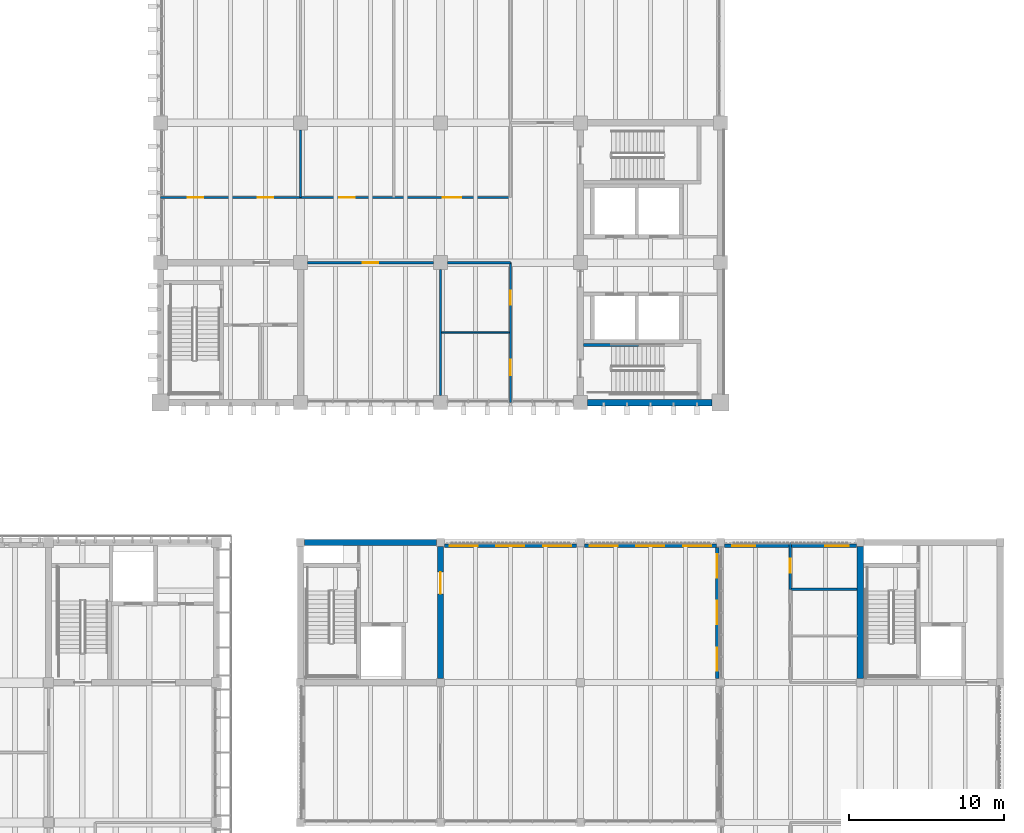
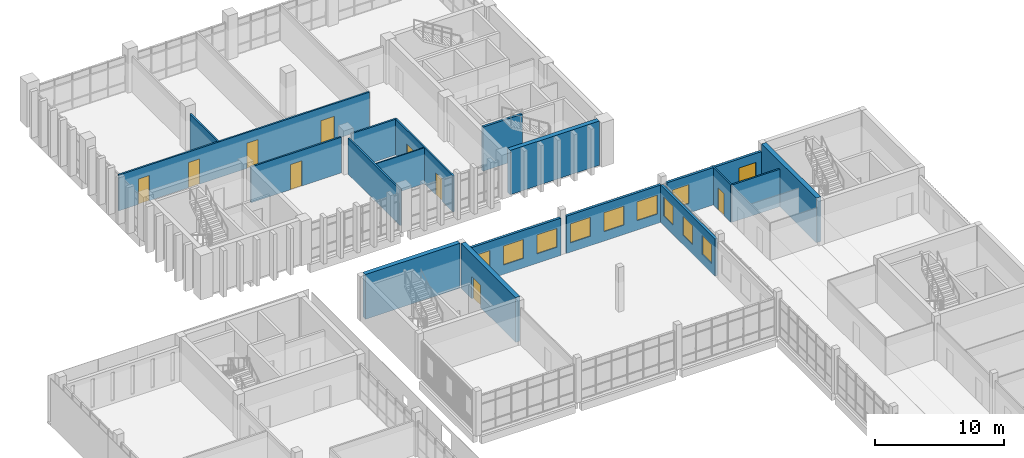
# One storey, part 58 of 92: 19 walls, 11 windows, 9 doors, 20 openings.
"""IFC4 building model written with IfcOpenShell, lengths in metres."""

from ifc_helpers import new_model, si_unit, direction, frame, frame_2d, origin, place, context, subcontext, project, spatial, rectangle, extrude, material, layer, layer_set, type_object, element, fill, save


model = new_model("IFC4")

# Units and contexts
model_context = context("Model", 3, precision=1e-05, world=origin(), true_north=direction((0.0, 1.0)))
body_context = subcontext(model_context, "Body", "Model", "MODEL_VIEW")
ifc_project = project(units=[si_unit("LENGTHUNIT", "METRE"), si_unit("AREAUNIT", "SQUARE_METRE"), si_unit("VOLUMEUNIT", "CUBIC_METRE"), si_unit("PLANEANGLEUNIT", "RADIAN"), si_unit("MASSUNIT", "GRAM", prefix="KILO")], contexts=[model_context])

# Site, building, storey
site_placement = place(None, origin())
site = spatial("IfcSite", under=ifc_project, at=site_placement, CompositionType="ELEMENT")
building_placement = place(site_placement, origin())
building = spatial("IfcBuilding", under=site, at=building_placement, Name="Merrow Basin Faculty of Sciences", CompositionType="ELEMENT")
storey_placement = place(building_placement, frame((0.0, 0.0, 4.5)))
storey = spatial("IfcBuildingStorey", under=building, at=storey_placement, Name="L01", CompositionType="ELEMENT", Elevation=4.5)

# Wall, openings, doors
ifc_material_1 = material(Name="Fire-rated gypsum board")
ifc_layer_1 = layer(ifc_material_1, 0.14990234375)
ifc_layer_set_1 = layer_set([ifc_layer_1], Name="Corridor partition 150 fire-rated board on steel studs")
wall_type_1 = type_object("IfcWallType", Name="Corridor partition 150 fire-rated board on steel studs", PredefinedType="PARTITIONING", material=ifc_layer_set_1)
wall_1_placement = place(storey_placement, frame((40.5, 142.0, 0.0), z_axis=(0.0, 0.0, 1.0), x_axis=(0.0, 1.0, 0.0)))
wall_1 = element("IfcWall", 1, at=wall_1_placement, inside=storey, type_object=wall_type_1, Name="IW151 L01 004", PredefinedType="PARTITIONING", context=body_context, shape_type="SweptSolid", body=[
    extrude(rectangle(XDim=9.0, YDim=0.14990234375, at=frame_2d((4.5, 0.0))), origin(), (0.0, 0.0, 1.0), 3.39990234375),
])
opening_1_placement = place(wall_1_placement, frame((1.75, 0.0, 0.0)))
opening_1 = element("IfcOpeningElement", 2, at=opening_1_placement, cuts=wall_1, Name="Opening D01T008", PredefinedType="OPENING", context=body_context, shape_type="SweptSolid", body=[
    extrude(rectangle(XDim=1.0, YDim=2.10009765625, at=frame_2d((0.5, 1.050048828125))), frame((0.0, 0.0849609375, 0.0), z_axis=(0.0, -1.0, 0.0), x_axis=(1.0, 0.0, 0.0)), (0.0, 0.0, 1.0), 0.169921875),
])
opening_2_placement = place(wall_1_placement, frame((6.300048828125, 0.0, 0.0)))
opening_2 = element("IfcOpeningElement", 3, at=opening_2_placement, cuts=wall_1, Name="Opening D01T009", PredefinedType="OPENING", context=body_context, shape_type="SweptSolid", body=[
    extrude(rectangle(XDim=0.89990234375, YDim=2.10009765625, at=frame_2d((0.449951171875, 1.050048828125))), frame((0.0, 0.0849609375, 0.0), z_axis=(0.0, -1.0, 0.0), x_axis=(1.0, 0.0, 0.0)), (0.0, 0.0, 1.0), 0.169921875),
])
ifc_material_2 = material(Name="Timber door leaf", Category="wood")
door_type_1 = type_object("IfcDoorType", Name="Accessible door 1000 x 2100", OperationType="NOTDEFINED", PredefinedType="DOOR", material=ifc_material_2)
door_1_placement = place(opening_1_placement, origin())
door_1 = element("IfcDoor", 4, at=door_1_placement, inside=storey, type_object=door_type_1, Name="Door D01T008", OperationType="SINGLE_SWING_LEFT", OverallHeight=2.10009765625, OverallWidth=1.0, PredefinedType="DOOR", context=body_context, shape_type="SweptSolid", body=[
    extrude(rectangle(XDim=1.0, YDim=2.10009765625, at=frame_2d((0.5, 1.050048828125))), frame((0.0, 0.02490234375, 0.0), z_axis=(0.0, -1.0, 0.0), x_axis=(1.0, 0.0, 0.0)), (0.0, 0.0, 1.0), 0.050048828125),
])
fill(opening_1, door_1)
ifc_material_3 = material(Name="Timber door leaf", Category="wood")
door_type_2 = type_object("IfcDoorType", Name="Single swing door 900 x 2100", OperationType="NOTDEFINED", PredefinedType="DOOR", material=ifc_material_3)
door_2_placement = place(opening_2_placement, origin())
door_2 = element("IfcDoor", 5, at=door_2_placement, inside=storey, type_object=door_type_2, Name="Door D01T009", OperationType="SINGLE_SWING_LEFT", OverallHeight=2.10009765625, OverallWidth=0.89990234375, PredefinedType="DOOR", context=body_context, shape_type="SweptSolid", body=[
    extrude(rectangle(XDim=0.89990234375, YDim=2.10009765625, at=frame_2d((0.449951171875, 1.050048828125))), frame((0.0, 0.02490234375, 0.0), z_axis=(0.0, -1.0, 0.0), x_axis=(1.0, 0.0, 0.0)), (0.0, 0.0, 1.0), 0.050048828125),
])
fill(opening_2, door_2)

# Wall
wall_2_placement = place(storey_placement, frame((36.449951171875, 151.0, 0.0), z_axis=(0.0, 0.0, 1.0), x_axis=(1.0, 0.0, 0.0)))
element("IfcWall", 6, at=wall_2_placement, inside=storey, type_object=wall_type_1, Name="IW151 L01 007", PredefinedType="PARTITIONING", context=body_context, shape_type="SweptSolid", body=[
    extrude(rectangle(XDim=4.050048828125, YDim=0.14990234375, at=frame_2d((2.02490234375, 0.0))), origin(), (0.0, 0.0, 1.0), 3.39990234375),
])

# Wall, opening, window
ifc_material_4 = material(Name="Precast concrete C40/50", Category="concrete")
ifc_layer_2 = layer(ifc_material_4, 0.215087890625)
ifc_layer_set_2 = layer_set([ifc_layer_2], Name="External infill wall 215 Precast concrete C40/50")
wall_type_2 = type_object("IfcWallType", Name="External infill wall 215 Precast concrete C40/50", PredefinedType="STANDARD", material=ifc_layer_set_2)
wall_3_placement = place(storey_placement, frame((54.25, 132.80810546875, 0.0), z_axis=(0.0, 0.0, 1.0), x_axis=(1.0, 0.0, 0.0)))
wall_3 = element("IfcWall", 7, at=wall_3_placement, inside=storey, type_object=wall_type_2, Name="N external wall 1", PredefinedType="STANDARD", context=body_context, shape_type="SweptSolid", body=[
    extrude(rectangle(XDim=4.175048828125, YDim=0.215087890625, at=frame_2d((2.08740234375, 0.0))), origin(), (0.0, 0.0, 1.0), 3.550048828125),
])
opening_3_placement = place(wall_3_placement, frame((0.5, 0.0, 0.89990234375)))
opening_3 = element("IfcOpeningElement", 8, at=opening_3_placement, cuts=wall_3, Name="Opening WN8", PredefinedType="OPENING", context=body_context, shape_type="SweptSolid", body=[
    extrude(rectangle(XDim=1.5, YDim=1.800048828125, at=frame_2d((0.75, 0.89990234375))), frame((0.0, 0.117431640625, 0.0), z_axis=(0.0, -1.0, 0.0), x_axis=(1.0, 0.0, 0.0)), (0.0, 0.0, 1.0), 0.235107421875),
])
ifc_material_5 = material(Name="Low-E double glazing", Category="glass")
window_type_1 = type_object("IfcWindowType", Name="Punched window 1500 x 1800", PartitioningType="SINGLE_PANEL", PredefinedType="WINDOW", material=ifc_material_5)
window_1_placement = place(opening_3_placement, origin())
window_1 = element("IfcWindow", 9, at=window_1_placement, inside=storey, type_object=window_type_1, Name="N window L01", OverallHeight=1.800048828125, OverallWidth=1.5, PartitioningType="SINGLE_PANEL", PredefinedType="WINDOW", context=body_context, shape_type="SweptSolid", body=[
    extrude(rectangle(XDim=1.5, YDim=1.800048828125, at=frame_2d((0.75, 0.89990234375))), frame((0.0, 0.030029296875, 0.0), z_axis=(0.0, -1.0, 0.0), x_axis=(1.0, 0.0, 0.0)), (0.0, 0.0, 1.0), 0.06005859375),
])
fill(opening_3, window_1)

wall_4_placement = place(storey_placement, frame((58.574951171875, 132.80810546875, 0.0), z_axis=(0.0, 0.0, 1.0), x_axis=(1.0, 0.0, 0.0)))
wall_4 = element("IfcWall", 10, at=wall_4_placement, inside=storey, type_object=wall_type_2, Name="N external wall 2", PredefinedType="STANDARD", context=body_context, shape_type="SweptSolid", body=[
    extrude(rectangle(XDim=4.175048828125, YDim=0.215087890625, at=frame_2d((2.08740234375, 0.0))), origin(), (0.0, 0.0, 1.0), 3.550048828125),
])
opening_4_placement = place(wall_4_placement, frame((2.175048828125, 0.0, 0.89990234375)))
opening_4 = element("IfcOpeningElement", 11, at=opening_4_placement, cuts=wall_4, Name="Opening WN8", PredefinedType="OPENING", context=body_context, shape_type="SweptSolid", body=[
    extrude(rectangle(XDim=1.5, YDim=1.800048828125, at=frame_2d((0.75, 0.89990234375))), frame((0.0, 0.117431640625, 0.0), z_axis=(0.0, -1.0, 0.0), x_axis=(1.0, 0.0, 0.0)), (0.0, 0.0, 1.0), 0.235107421875),
])
window_2_placement = place(opening_4_placement, origin())
window_2 = element("IfcWindow", 12, at=window_2_placement, inside=storey, type_object=window_type_1, Name="N window L01", OverallHeight=1.800048828125, OverallWidth=1.5, PartitioningType="SINGLE_PANEL", PredefinedType="WINDOW", context=body_context, shape_type="SweptSolid", body=[
    extrude(rectangle(XDim=1.5, YDim=1.800048828125, at=frame_2d((0.75, 0.89990234375))), frame((0.0, 0.030029296875, 0.0), z_axis=(0.0, -1.0, 0.0), x_axis=(1.0, 0.0, 0.0)), (0.0, 0.0, 1.0), 0.06005859375),
])
fill(opening_4, window_2)

# Wall, openings, windows
wall_5_placement = place(storey_placement, frame((36.25, 132.80810546875, 0.0), z_axis=(0.0, 0.0, 1.0), x_axis=(1.0, 0.0, 0.0)))
wall_5 = element("IfcWall", 13, at=wall_5_placement, inside=storey, type_object=wall_type_2, Name="N external wall 1", PredefinedType="STANDARD", context=body_context, shape_type="SweptSolid", body=[
    extrude(rectangle(XDim=8.5, YDim=0.215087890625, at=frame_2d((4.25, 0.0))), origin(), (0.0, 0.0, 1.0), 3.550048828125),
])
opening_5_placement = place(wall_5_placement, frame((0.35009765625, 0.0, 0.89990234375)))
opening_5 = element("IfcOpeningElement", 14, at=opening_5_placement, cuts=wall_5, Name="Opening WN14", PredefinedType="OPENING", context=body_context, shape_type="SweptSolid", body=[
    extrude(rectangle(XDim=1.800048828125, YDim=1.800048828125, at=frame_2d((0.89990234375, 0.89990234375))), frame((0.0, 0.117431640625, 0.0), z_axis=(0.0, -1.0, 0.0), x_axis=(1.0, 0.0, 0.0)), (0.0, 0.0, 1.0), 0.235107421875),
])
opening_6_placement = place(wall_5_placement, frame((3.35009765625, 0.0, 0.89990234375)))
opening_6 = element("IfcOpeningElement", 15, at=opening_6_placement, cuts=wall_5, Name="Opening WN14", PredefinedType="OPENING", context=body_context, shape_type="SweptSolid", body=[
    extrude(rectangle(XDim=1.800048828125, YDim=1.800048828125, at=frame_2d((0.89990234375, 0.89990234375))), frame((0.0, 0.117431640625, 0.0), z_axis=(0.0, -1.0, 0.0), x_axis=(1.0, 0.0, 0.0)), (0.0, 0.0, 1.0), 0.235107421875),
])
opening_7_placement = place(wall_5_placement, frame((6.35009765625, 0.0, 0.89990234375)))
opening_7 = element("IfcOpeningElement", 16, at=opening_7_placement, cuts=wall_5, Name="Opening WN14", PredefinedType="OPENING", context=body_context, shape_type="SweptSolid", body=[
    extrude(rectangle(XDim=1.800048828125, YDim=1.800048828125, at=frame_2d((0.89990234375, 0.89990234375))), frame((0.0, 0.117431640625, 0.0), z_axis=(0.0, -1.0, 0.0), x_axis=(1.0, 0.0, 0.0)), (0.0, 0.0, 1.0), 0.235107421875),
])
ifc_material_6 = material(Name="Low-E double glazing", Category="glass")
window_type_2 = type_object("IfcWindowType", Name="Reading room window 1800 x 1800", PartitioningType="SINGLE_PANEL", PredefinedType="WINDOW", material=ifc_material_6)
window_3_placement = place(opening_5_placement, origin())
window_3 = element("IfcWindow", 17, at=window_3_placement, inside=storey, type_object=window_type_2, Name="N window L01", OverallHeight=1.800048828125, OverallWidth=1.800048828125, PartitioningType="SINGLE_PANEL", PredefinedType="WINDOW", context=body_context, shape_type="SweptSolid", body=[
    extrude(rectangle(XDim=1.800048828125, YDim=1.800048828125, at=frame_2d((0.89990234375, 0.89990234375))), frame((0.0, 0.030029296875, 0.0), z_axis=(0.0, -1.0, 0.0), x_axis=(1.0, 0.0, 0.0)), (0.0, 0.0, 1.0), 0.06005859375),
])
fill(opening_5, window_3)
window_4_placement = place(opening_6_placement, origin())
window_4 = element("IfcWindow", 18, at=window_4_placement, inside=storey, type_object=window_type_2, Name="N window L01", OverallHeight=1.800048828125, OverallWidth=1.800048828125, PartitioningType="SINGLE_PANEL", PredefinedType="WINDOW", context=body_context, shape_type="SweptSolid", body=[
    extrude(rectangle(XDim=1.800048828125, YDim=1.800048828125, at=frame_2d((0.89990234375, 0.89990234375))), frame((0.0, 0.030029296875, 0.0), z_axis=(0.0, -1.0, 0.0), x_axis=(1.0, 0.0, 0.0)), (0.0, 0.0, 1.0), 0.06005859375),
])
fill(opening_6, window_4)
window_5_placement = place(opening_7_placement, origin())
window_5 = element("IfcWindow", 19, at=window_5_placement, inside=storey, type_object=window_type_2, Name="N window L01", OverallHeight=1.800048828125, OverallWidth=1.800048828125, PartitioningType="SINGLE_PANEL", PredefinedType="WINDOW", context=body_context, shape_type="SweptSolid", body=[
    extrude(rectangle(XDim=1.800048828125, YDim=1.800048828125, at=frame_2d((0.89990234375, 0.89990234375))), frame((0.0, 0.030029296875, 0.0), z_axis=(0.0, -1.0, 0.0), x_axis=(1.0, 0.0, 0.0)), (0.0, 0.0, 1.0), 0.06005859375),
])
fill(opening_7, window_5)

wall_6_placement = place(storey_placement, frame((45.25, 132.80810546875, 0.0), z_axis=(0.0, 0.0, 1.0), x_axis=(1.0, 0.0, 0.0)))
wall_6 = element("IfcWall", 20, at=wall_6_placement, inside=storey, type_object=wall_type_2, Name="N external wall 2", PredefinedType="STANDARD", context=body_context, shape_type="SweptSolid", body=[
    extrude(rectangle(XDim=8.5, YDim=0.215087890625, at=frame_2d((4.25, 0.0))), origin(), (0.0, 0.0, 1.0), 3.550048828125),
])
opening_8_placement = place(wall_6_placement, frame((0.35009765625, 0.0, 0.89990234375)))
opening_8 = element("IfcOpeningElement", 21, at=opening_8_placement, cuts=wall_6, Name="Opening WN14", PredefinedType="OPENING", context=body_context, shape_type="SweptSolid", body=[
    extrude(rectangle(XDim=1.800048828125, YDim=1.800048828125, at=frame_2d((0.89990234375, 0.89990234375))), frame((0.0, 0.117431640625, 0.0), z_axis=(0.0, -1.0, 0.0), x_axis=(1.0, 0.0, 0.0)), (0.0, 0.0, 1.0), 0.235107421875),
])
opening_9_placement = place(wall_6_placement, frame((3.35009765625, 0.0, 0.89990234375)))
opening_9 = element("IfcOpeningElement", 22, at=opening_9_placement, cuts=wall_6, Name="Opening WN14", PredefinedType="OPENING", context=body_context, shape_type="SweptSolid", body=[
    extrude(rectangle(XDim=1.800048828125, YDim=1.800048828125, at=frame_2d((0.89990234375, 0.89990234375))), frame((0.0, 0.117431640625, 0.0), z_axis=(0.0, -1.0, 0.0), x_axis=(1.0, 0.0, 0.0)), (0.0, 0.0, 1.0), 0.235107421875),
])
opening_10_placement = place(wall_6_placement, frame((6.35009765625, 0.0, 0.89990234375)))
opening_10 = element("IfcOpeningElement", 23, at=opening_10_placement, cuts=wall_6, Name="Opening WN14", PredefinedType="OPENING", context=body_context, shape_type="SweptSolid", body=[
    extrude(rectangle(XDim=1.800048828125, YDim=1.800048828125, at=frame_2d((0.89990234375, 0.89990234375))), frame((0.0, 0.117431640625, 0.0), z_axis=(0.0, -1.0, 0.0), x_axis=(1.0, 0.0, 0.0)), (0.0, 0.0, 1.0), 0.235107421875),
])
window_6_placement = place(opening_8_placement, origin())
window_6 = element("IfcWindow", 24, at=window_6_placement, inside=storey, type_object=window_type_2, Name="N window L01", OverallHeight=1.800048828125, OverallWidth=1.800048828125, PartitioningType="SINGLE_PANEL", PredefinedType="WINDOW", context=body_context, shape_type="SweptSolid", body=[
    extrude(rectangle(XDim=1.800048828125, YDim=1.800048828125, at=frame_2d((0.89990234375, 0.89990234375))), frame((0.0, 0.030029296875, 0.0), z_axis=(0.0, -1.0, 0.0), x_axis=(1.0, 0.0, 0.0)), (0.0, 0.0, 1.0), 0.06005859375),
])
fill(opening_8, window_6)
window_7_placement = place(opening_9_placement, origin())
window_7 = element("IfcWindow", 25, at=window_7_placement, inside=storey, type_object=window_type_2, Name="N window L01", OverallHeight=1.800048828125, OverallWidth=1.800048828125, PartitioningType="SINGLE_PANEL", PredefinedType="WINDOW", context=body_context, shape_type="SweptSolid", body=[
    extrude(rectangle(XDim=1.800048828125, YDim=1.800048828125, at=frame_2d((0.89990234375, 0.89990234375))), frame((0.0, 0.030029296875, 0.0), z_axis=(0.0, -1.0, 0.0), x_axis=(1.0, 0.0, 0.0)), (0.0, 0.0, 1.0), 0.06005859375),
])
fill(opening_9, window_7)
window_8_placement = place(opening_10_placement, origin())
window_8 = element("IfcWindow", 26, at=window_8_placement, inside=storey, type_object=window_type_2, Name="N window L01", OverallHeight=1.800048828125, OverallWidth=1.800048828125, PartitioningType="SINGLE_PANEL", PredefinedType="WINDOW", context=body_context, shape_type="SweptSolid", body=[
    extrude(rectangle(XDim=1.800048828125, YDim=1.800048828125, at=frame_2d((0.89990234375, 0.89990234375))), frame((0.0, 0.030029296875, 0.0), z_axis=(0.0, -1.0, 0.0), x_axis=(1.0, 0.0, 0.0)), (0.0, 0.0, 1.0), 0.06005859375),
])
fill(opening_10, window_8)

wall_7_placement = place(storey_placement, frame((53.806884765625, 132.700927734375, 0.0), z_axis=(0.0, 0.0, 1.0), x_axis=(0.0, -1.0, 0.0)))
wall_7 = element("IfcWall", 27, at=wall_7_placement, inside=storey, type_object=wall_type_2, Name="E external wall 2", PredefinedType="STANDARD", context=body_context, shape_type="SweptSolid", body=[
    extrude(rectangle(XDim=8.450927734375, YDim=0.215087890625, at=frame_2d((4.2255859375, 0.0))), origin(), (0.0, 0.0, 1.0), 3.550048828125),
])
opening_11_placement = place(wall_7_placement, frame((6.450927734375, 0.0, 0.89990234375)))
opening_11 = element("IfcOpeningElement", 28, at=opening_11_placement, cuts=wall_7, Name="Opening WN8", PredefinedType="OPENING", context=body_context, shape_type="SweptSolid", body=[
    extrude(rectangle(XDim=1.5, YDim=1.800048828125, at=frame_2d((0.75, 0.89990234375))), frame((0.0, 0.117431640625, 0.0), z_axis=(0.0, -1.0, 0.0), x_axis=(1.0, 0.0, 0.0)), (0.0, 0.0, 1.0), 0.235107421875),
])
opening_12_placement = place(wall_7_placement, frame((3.450927734375, 0.0, 0.89990234375)))
opening_12 = element("IfcOpeningElement", 29, at=opening_12_placement, cuts=wall_7, Name="Opening WN8", PredefinedType="OPENING", context=body_context, shape_type="SweptSolid", body=[
    extrude(rectangle(XDim=1.5, YDim=1.800048828125, at=frame_2d((0.75, 0.89990234375))), frame((0.0, 0.117431640625, 0.0), z_axis=(0.0, -1.0, 0.0), x_axis=(1.0, 0.0, 0.0)), (0.0, 0.0, 1.0), 0.235107421875),
])
opening_13_placement = place(wall_7_placement, frame((0.450927734375, 0.0, 0.89990234375)))
opening_13 = element("IfcOpeningElement", 30, at=opening_13_placement, cuts=wall_7, Name="Opening WN8", PredefinedType="OPENING", context=body_context, shape_type="SweptSolid", body=[
    extrude(rectangle(XDim=1.5, YDim=1.800048828125, at=frame_2d((0.75, 0.89990234375))), frame((0.0, 0.117431640625, 0.0), z_axis=(0.0, -1.0, 0.0), x_axis=(1.0, 0.0, 0.0)), (0.0, 0.0, 1.0), 0.235107421875),
])
window_9_placement = place(opening_11_placement, origin())
window_9 = element("IfcWindow", 31, at=window_9_placement, inside=storey, type_object=window_type_1, Name="E window L01", OverallHeight=1.800048828125, OverallWidth=1.5, PartitioningType="SINGLE_PANEL", PredefinedType="WINDOW", context=body_context, shape_type="SweptSolid", body=[
    extrude(rectangle(XDim=1.5, YDim=1.800048828125, at=frame_2d((0.75, 0.89990234375))), frame((0.0, 0.030029296875, 0.0), z_axis=(0.0, -1.0, 0.0), x_axis=(1.0, 0.0, 0.0)), (0.0, 0.0, 1.0), 0.06005859375),
])
fill(opening_11, window_9)
window_10_placement = place(opening_12_placement, origin())
window_10 = element("IfcWindow", 32, at=window_10_placement, inside=storey, type_object=window_type_1, Name="E window L01", OverallHeight=1.800048828125, OverallWidth=1.5, PartitioningType="SINGLE_PANEL", PredefinedType="WINDOW", context=body_context, shape_type="SweptSolid", body=[
    extrude(rectangle(XDim=1.5, YDim=1.800048828125, at=frame_2d((0.75, 0.89990234375))), frame((0.0, 0.030029296875, 0.0), z_axis=(0.0, -1.0, 0.0), x_axis=(1.0, 0.0, 0.0)), (0.0, 0.0, 1.0), 0.06005859375),
])
fill(opening_12, window_10)
window_11_placement = place(opening_13_placement, origin())
window_11 = element("IfcWindow", 33, at=window_11_placement, inside=storey, type_object=window_type_1, Name="E window L01", OverallHeight=1.800048828125, OverallWidth=1.5, PartitioningType="SINGLE_PANEL", PredefinedType="WINDOW", context=body_context, shape_type="SweptSolid", body=[
    extrude(rectangle(XDim=1.5, YDim=1.800048828125, at=frame_2d((0.75, 0.89990234375))), frame((0.0, 0.030029296875, 0.0), z_axis=(0.0, -1.0, 0.0), x_axis=(1.0, 0.0, 0.0)), (0.0, 0.0, 1.0), 0.06005859375),
])
fill(opening_13, window_11)

# Walls
ifc_material_7 = material(Name="Fire-rated gypsum board")
ifc_layer_3 = layer(ifc_material_7, 0.14990234375)
ifc_layer_set_3 = layer_set([ifc_layer_3], Name="Laboratory partition 150 fire-rated board on steel studs")
wall_type_3 = type_object("IfcWallType", Name="Laboratory partition 150 fire-rated board on steel studs", PredefinedType="PARTITIONING", material=ifc_layer_set_3)
wall_8_placement = place(storey_placement, frame((27.0, 155.199951171875, 0.0), z_axis=(0.0, 0.0, 1.0), x_axis=(0.0, 1.0, 0.0)))
element("IfcWall", 34, at=wall_8_placement, inside=storey, type_object=wall_type_3, Name="IW150 L01 011", PredefinedType="PARTITIONING", context=body_context, shape_type="SweptSolid", body=[
    extrude(rectangle(XDim=4.35009765625, YDim=0.14990234375, at=frame_2d((2.175048828125, 0.0))), origin(), (0.0, 0.0, 1.0), 3.39990234375),
])
wall_9_placement = place(storey_placement, frame((36.0, 142.449951171875, 0.0), z_axis=(0.0, 0.0, 1.0), x_axis=(0.0, 1.0, 0.0)))
element("IfcWall", 35, at=wall_9_placement, inside=storey, type_object=wall_type_3, Name="IW150 L01 013", PredefinedType="PARTITIONING", context=body_context, shape_type="SweptSolid", body=[
    extrude(rectangle(XDim=8.10009765625, YDim=0.14990234375, at=frame_2d((4.050048828125, 0.0))), origin(), (0.0, 0.0, 1.0), 3.39990234375),
])

# Wall, opening, door
wall_10_placement = place(storey_placement, frame((27.449951171875, 151.0, 0.0), z_axis=(0.0, 0.0, 1.0), x_axis=(1.0, 0.0, 0.0)))
wall_10 = element("IfcWall", 36, at=wall_10_placement, inside=storey, type_object=wall_type_3, Name="IW150 L01 015", PredefinedType="PARTITIONING", context=body_context, shape_type="SweptSolid", body=[
    extrude(rectangle(XDim=8.10009765625, YDim=0.14990234375, at=frame_2d((4.050048828125, 0.0))), origin(), (0.0, 0.0, 1.0), 3.39990234375),
])
opening_14_placement = place(wall_10_placement, frame((3.550048828125, 0.0, 0.0)))
opening_14 = element("IfcOpeningElement", 37, at=opening_14_placement, cuts=wall_10, Name="Opening D01T014", PredefinedType="OPENING", context=body_context, shape_type="SweptSolid", body=[
    extrude(rectangle(XDim=1.0, YDim=2.39990234375, at=frame_2d((0.5, 1.199951171875))), frame((0.0, 0.0849609375, 0.0), z_axis=(0.0, -1.0, 0.0), x_axis=(1.0, 0.0, 0.0)), (0.0, 0.0, 1.0), 0.169921875),
])
ifc_material_8 = material(Name="Fire-rated steel door", Category="steel")
door_type_3 = type_object("IfcDoorType", Name="Fire door FD60 1000 x 2400", OperationType="NOTDEFINED", PredefinedType="DOOR", material=ifc_material_8)
door_3_placement = place(opening_14_placement, origin())
door_3 = element("IfcDoor", 38, at=door_3_placement, inside=storey, type_object=door_type_3, Name="Door D01T014", OperationType="SINGLE_SWING_LEFT", OverallHeight=2.39990234375, OverallWidth=1.0, PredefinedType="DOOR", context=body_context, shape_type="SweptSolid", body=[
    extrude(rectangle(XDim=1.0, YDim=2.39990234375, at=frame_2d((0.5, 1.199951171875))), frame((0.0, 0.02490234375, 0.0), z_axis=(0.0, -1.0, 0.0), x_axis=(1.0, 0.0, 0.0)), (0.0, 0.0, 1.0), 0.050048828125),
])
fill(opening_14, door_3)

# Wall, openings, doors
wall_11_placement = place(storey_placement, frame((18.0, 155.199951171875, 0.0), z_axis=(0.0, 0.0, 1.0), x_axis=(1.0, 0.0, 0.0)))
wall_11 = element("IfcWall", 39, at=wall_11_placement, inside=storey, type_object=wall_type_3, Name="IW150 L01 016", PredefinedType="PARTITIONING", context=body_context, shape_type="SweptSolid", body=[
    extrude(rectangle(XDim=22.5, YDim=0.14990234375, at=frame_2d((11.25, 0.0))), origin(), (0.0, 0.0, 1.0), 3.39990234375),
])
opening_15_placement = place(wall_11_placement, frame((1.75, 0.0, 0.0)))
opening_15 = element("IfcOpeningElement", 40, at=opening_15_placement, cuts=wall_11, Name="Opening D01T010", PredefinedType="OPENING", context=body_context, shape_type="SweptSolid", body=[
    extrude(rectangle(XDim=1.0, YDim=2.39990234375, at=frame_2d((0.5, 1.199951171875))), frame((0.0, 0.0849609375, 0.0), z_axis=(0.0, -1.0, 0.0), x_axis=(1.0, 0.0, 0.0)), (0.0, 0.0, 1.0), 0.169921875),
])
opening_16_placement = place(wall_11_placement, frame((6.25, 0.0, 0.0)))
opening_16 = element("IfcOpeningElement", 41, at=opening_16_placement, cuts=wall_11, Name="Opening D01T011", PredefinedType="OPENING", context=body_context, shape_type="SweptSolid", body=[
    extrude(rectangle(XDim=1.0, YDim=2.39990234375, at=frame_2d((0.5, 1.199951171875))), frame((0.0, 0.0849609375, 0.0), z_axis=(0.0, -1.0, 0.0), x_axis=(1.0, 0.0, 0.0)), (0.0, 0.0, 1.0), 0.169921875),
])
opening_17_placement = place(wall_11_placement, frame((11.5, 0.0, 0.0)))
opening_17 = element("IfcOpeningElement", 42, at=opening_17_placement, cuts=wall_11, Name="Opening D01T012", PredefinedType="OPENING", context=body_context, shape_type="SweptSolid", body=[
    extrude(rectangle(XDim=1.0, YDim=2.39990234375, at=frame_2d((0.5, 1.199951171875))), frame((0.0, 0.0849609375, 0.0), z_axis=(0.0, -1.0, 0.0), x_axis=(1.0, 0.0, 0.0)), (0.0, 0.0, 1.0), 0.169921875),
])
opening_18_placement = place(wall_11_placement, frame((18.14990234375, 0.0, 0.0)))
opening_18 = element("IfcOpeningElement", 43, at=opening_18_placement, cuts=wall_11, Name="Opening D01T013", PredefinedType="OPENING", context=body_context, shape_type="SweptSolid", body=[
    extrude(rectangle(XDim=1.199951171875, YDim=2.199951171875, at=frame_2d((0.60009765625, 1.10009765625))), frame((0.0, 0.0849609375, 0.0), z_axis=(0.0, -1.0, 0.0), x_axis=(1.0, 0.0, 0.0)), (0.0, 0.0, 1.0), 0.169921875),
])
door_4_placement = place(opening_15_placement, origin())
door_4 = element("IfcDoor", 44, at=door_4_placement, inside=storey, type_object=door_type_3, Name="Door D01T010", OperationType="SINGLE_SWING_LEFT", OverallHeight=2.39990234375, OverallWidth=1.0, PredefinedType="DOOR", context=body_context, shape_type="SweptSolid", body=[
    extrude(rectangle(XDim=1.0, YDim=2.39990234375, at=frame_2d((0.5, 1.199951171875))), frame((0.0, 0.02490234375, 0.0), z_axis=(0.0, -1.0, 0.0), x_axis=(1.0, 0.0, 0.0)), (0.0, 0.0, 1.0), 0.050048828125),
])
fill(opening_15, door_4)
door_5_placement = place(opening_16_placement, origin())
door_5 = element("IfcDoor", 45, at=door_5_placement, inside=storey, type_object=door_type_3, Name="Door D01T011", OperationType="SINGLE_SWING_RIGHT", OverallHeight=2.39990234375, OverallWidth=1.0, PredefinedType="DOOR", context=body_context, shape_type="SweptSolid", body=[
    extrude(rectangle(XDim=1.0, YDim=2.39990234375, at=frame_2d((0.5, 1.199951171875))), frame((0.0, 0.02490234375, 0.0), z_axis=(0.0, -1.0, 0.0), x_axis=(1.0, 0.0, 0.0)), (0.0, 0.0, 1.0), 0.050048828125),
])
fill(opening_16, door_5)
door_6_placement = place(opening_17_placement, origin())
door_6 = element("IfcDoor", 46, at=door_6_placement, inside=storey, type_object=door_type_3, Name="Door D01T012", OperationType="SINGLE_SWING_LEFT", OverallHeight=2.39990234375, OverallWidth=1.0, PredefinedType="DOOR", context=body_context, shape_type="SweptSolid", body=[
    extrude(rectangle(XDim=1.0, YDim=2.39990234375, at=frame_2d((0.5, 1.199951171875))), frame((0.0, 0.02490234375, 0.0), z_axis=(0.0, -1.0, 0.0), x_axis=(1.0, 0.0, 0.0)), (0.0, 0.0, 1.0), 0.050048828125),
])
fill(opening_17, door_6)
ifc_material_9 = material(Name="Fire-rated steel door", Category="steel")
door_type_4 = type_object("IfcDoorType", Name="Fire door FD60 1200 x 2200", OperationType="NOTDEFINED", PredefinedType="DOOR", material=ifc_material_9)
door_7_placement = place(opening_18_placement, origin())
door_7 = element("IfcDoor", 47, at=door_7_placement, inside=storey, type_object=door_type_4, Name="Door D01T013", OperationType="SINGLE_SWING_LEFT", OverallHeight=2.199951171875, OverallWidth=1.199951171875, PredefinedType="DOOR", context=body_context, shape_type="SweptSolid", body=[
    extrude(rectangle(XDim=1.199951171875, YDim=2.199951171875, at=frame_2d((0.60009765625, 1.10009765625))), frame((0.0, 0.02490234375, 0.0), z_axis=(0.0, -1.0, 0.0), x_axis=(1.0, 0.0, 0.0)), (0.0, 0.0, 1.0), 0.050048828125),
])
fill(opening_18, door_7)

# Walls
ifc_material_10 = material(Name="Moisture-resistant gypsum board")
ifc_layer_4 = layer(ifc_material_10, 0.10009765625)
ifc_layer_set_4 = layer_set([ifc_layer_4], Name="Partition 100 moisture-resistant board on steel studs")
wall_type_4 = type_object("IfcWallType", Name="Partition 100 moisture-resistant board on steel studs", PredefinedType="PARTITIONING", material=ifc_layer_set_4)
wall_12_placement = place(storey_placement, frame((36.074951171875, 146.5, 0.0), z_axis=(0.0, 0.0, 1.0), x_axis=(1.0, 0.0, 0.0)))
element("IfcWall", 48, at=wall_12_placement, inside=storey, type_object=wall_type_4, Name="IW101 L01 017", PredefinedType="PARTITIONING", context=body_context, shape_type="SweptSolid", body=[
    extrude(rectangle(XDim=4.35009765625, YDim=0.10009765625, at=frame_2d((2.175048828125, 0.0))), origin(), (0.0, 0.0, 1.0), 3.39990234375),
])
ifc_material_11 = material(Name="Concrete C50/60", Category="concrete")
ifc_layer_5 = layer(ifc_material_11, 0.199951171875)
ifc_layer_set_5 = layer_set([ifc_layer_5], Name="Shear wall 200 Concrete C50/60")
wall_type_5 = type_object("IfcWallType", Name="Shear wall 200 Concrete C50/60", PredefinedType="SHEAR", material=ifc_layer_set_5)
wall_13_placement = place(storey_placement, frame((45.199951171875, 145.699951171875, 0.0), z_axis=(0.0, 0.0, 1.0), x_axis=(1.0, 0.0, 0.0)))
element("IfcWall", 49, at=wall_13_placement, inside=storey, type_object=wall_type_5, Name="SW5 L01 018", PredefinedType="SHEAR", context=body_context, shape_type="SweptSolid", body=[
    extrude(rectangle(XDim=3.550048828125, YDim=0.199951171875, at=frame_2d((1.77490234375, 0.0))), origin(), (0.0, 0.0, 1.0), 4.199951171875),
])
ifc_material_12 = material(Name="Concrete C40/50", Category="concrete")
ifc_layer_6 = layer(ifc_material_12, 0.39990234375)
ifc_layer_set_6 = layer_set([ifc_layer_6], Name="Shear wall 400 Concrete C40/50")
wall_type_6 = type_object("IfcWallType", Name="Shear wall 400 Concrete C40/50", PredefinedType="SHEAR", material=ifc_layer_set_6)
wall_14_placement = place(storey_placement, frame((27.25, 133.0, 0.0), z_axis=(0.0, 0.0, 1.0), x_axis=(1.0, 0.0, 0.0)))
element("IfcWall", 50, at=wall_14_placement, inside=storey, type_object=wall_type_6, Name="SW1 L01 002", PredefinedType="SHEAR", context=body_context, shape_type="SweptSolid", body=[
    extrude(rectangle(XDim=8.5, YDim=0.39990234375, at=frame_2d((4.25, 0.0))), origin(), (0.0, 0.0, 1.0), 4.25),
])

# Wall, opening, door
wall_15_placement = place(storey_placement, frame((36.0, 124.25, 0.0), z_axis=(0.0, 0.0, 1.0), x_axis=(0.0, 1.0, 0.0)))
wall_15 = element("IfcWall", 51, at=wall_15_placement, inside=storey, type_object=wall_type_6, Name="SW1 L01 004", PredefinedType="SHEAR", context=body_context, shape_type="SweptSolid", body=[
    extrude(rectangle(XDim=8.5, YDim=0.39990234375, at=frame_2d((4.25, 0.0))), origin(), (0.0, 0.0, 1.0), 4.25),
])
opening_19_placement = place(wall_15_placement, frame((5.449951171875, 0.0, 0.0)))
opening_19 = element("IfcOpeningElement", 52, at=opening_19_placement, cuts=wall_15, Name="Opening D01C011", PredefinedType="OPENING", context=body_context, shape_type="SweptSolid", body=[
    extrude(rectangle(XDim=1.39990234375, YDim=2.10009765625, at=frame_2d((0.699951171875, 1.050048828125))), frame((0.0, 0.2099609375, 0.0), z_axis=(0.0, -1.0, 0.0), x_axis=(1.0, 0.0, 0.0)), (0.0, 0.0, 1.0), 0.419921875),
])
ifc_material_13 = material(Name="Fire-rated steel door", Category="steel")
door_type_5 = type_object("IfcDoorType", Name="Fire door FD60 1400 x 2100", OperationType="NOTDEFINED", PredefinedType="DOOR", material=ifc_material_13)
door_8_placement = place(opening_19_placement, origin())
door_8 = element("IfcDoor", 53, at=door_8_placement, inside=storey, type_object=door_type_5, Name="Door D01C011", OperationType="SINGLE_SWING_RIGHT", OverallHeight=2.10009765625, OverallWidth=1.39990234375, PredefinedType="DOOR", context=body_context, shape_type="SweptSolid", body=[
    extrude(rectangle(XDim=1.39990234375, YDim=2.10009765625, at=frame_2d((0.699951171875, 1.050048828125))), frame((0.0, 0.02490234375, 0.0), z_axis=(0.0, -1.0, 0.0), x_axis=(1.0, 0.0, 0.0)), (0.0, 0.0, 1.0), 0.050048828125),
])
fill(opening_19, door_8)

# Walls
wall_16_placement = place(storey_placement, frame((63.0, 124.25, 0.0), z_axis=(0.0, 0.0, 1.0), x_axis=(0.0, 1.0, 0.0)))
element("IfcWall", 54, at=wall_16_placement, inside=storey, type_object=wall_type_6, Name="SW1 L01 027", PredefinedType="SHEAR", context=body_context, shape_type="SweptSolid", body=[
    extrude(rectangle(XDim=8.5, YDim=0.39990234375, at=frame_2d((4.25, 0.0))), origin(), (0.0, 0.0, 1.0), 4.25),
])
ifc_material_14 = material(Name="Concrete C50/60", Category="concrete")
ifc_layer_7 = layer(ifc_material_14, 0.39990234375)
ifc_layer_set_7 = layer_set([ifc_layer_7], Name="Shear wall 400 Concrete C50/60")
wall_type_7 = type_object("IfcWallType", Name="Shear wall 400 Concrete C50/60", PredefinedType="SHEAR", material=ifc_layer_set_7)
wall_17_placement = place(storey_placement, frame((45.449951171875, 142.0, 0.0), z_axis=(0.0, 0.0, 1.0), x_axis=(1.0, 0.0, 0.0)))
element("IfcWall", 55, at=wall_17_placement, inside=storey, type_object=wall_type_7, Name="SW3 L01 001", PredefinedType="SHEAR", context=body_context, shape_type="SweptSolid", body=[
    extrude(rectangle(XDim=8.0, YDim=0.39990234375, at=frame_2d((4.0, 0.0))), origin(), (0.0, 0.0, 1.0), 4.199951171875),
])

# Wall, opening, door
ifc_material_15 = material(Name="Fire-rated gypsum board")
ifc_layer_8 = layer(ifc_material_15, 0.14990234375)
ifc_layer_set_8 = layer_set([ifc_layer_8], Name="Store partition 150 fire-rated board on steel studs")
wall_type_8 = type_object("IfcWallType", Name="Store partition 150 fire-rated board on steel studs", PredefinedType="PARTITIONING", material=ifc_layer_set_8)
wall_18_placement = place(storey_placement, frame((58.5, 130.0, 0.0), z_axis=(0.0, 0.0, 1.0), x_axis=(0.0, 1.0, 0.0)))
wall_18 = element("IfcWall", 56, at=wall_18_placement, inside=storey, type_object=wall_type_8, Name="IW152 L01 005", PredefinedType="PARTITIONING", context=body_context, shape_type="SweptSolid", body=[
    extrude(rectangle(XDim=3.0, YDim=0.14990234375, at=frame_2d((1.5, 0.0))), origin(), (0.0, 0.0, 1.0), 3.550048828125),
])
opening_20_placement = place(wall_18_placement, frame((1.050048828125, 0.0, 0.0)))
opening_20 = element("IfcOpeningElement", 57, at=opening_20_placement, cuts=wall_18, Name="Opening D01C023", PredefinedType="OPENING", context=body_context, shape_type="SweptSolid", body=[
    extrude(rectangle(XDim=0.89990234375, YDim=2.10009765625, at=frame_2d((0.449951171875, 1.050048828125))), frame((0.0, 0.0849609375, 0.0), z_axis=(0.0, -1.0, 0.0), x_axis=(1.0, 0.0, 0.0)), (0.0, 0.0, 1.0), 0.169921875),
])
ifc_material_16 = material(Name="Fire-rated steel door", Category="steel")
door_type_6 = type_object("IfcDoorType", Name="Fire door FD60 900 x 2100", OperationType="NOTDEFINED", PredefinedType="DOOR", material=ifc_material_16)
door_9_placement = place(opening_20_placement, origin())
door_9 = element("IfcDoor", 58, at=door_9_placement, inside=storey, type_object=door_type_6, Name="Door D01C023", OperationType="SINGLE_SWING_LEFT", OverallHeight=2.10009765625, OverallWidth=0.89990234375, PredefinedType="DOOR", context=body_context, shape_type="SweptSolid", body=[
    extrude(rectangle(XDim=0.89990234375, YDim=2.10009765625, at=frame_2d((0.449951171875, 1.050048828125))), frame((0.0, 0.02490234375, 0.0), z_axis=(0.0, -1.0, 0.0), x_axis=(1.0, 0.0, 0.0)), (0.0, 0.0, 1.0), 0.050048828125),
])
fill(opening_20, door_9)

# Wall
wall_19_placement = place(storey_placement, frame((58.5, 130.0, 0.0), z_axis=(0.0, 0.0, 1.0), x_axis=(1.0, 0.0, 0.0)))
element("IfcWall", 59, at=wall_19_placement, inside=storey, type_object=wall_type_8, Name="IW152 L01 006", PredefinedType="PARTITIONING", context=body_context, shape_type="SweptSolid", body=[
    extrude(rectangle(XDim=4.300048828125, YDim=0.14990234375, at=frame_2d((2.14990234375, 0.0))), origin(), (0.0, 0.0, 1.0), 3.550048828125),
])

save(model, "model.ifc")
